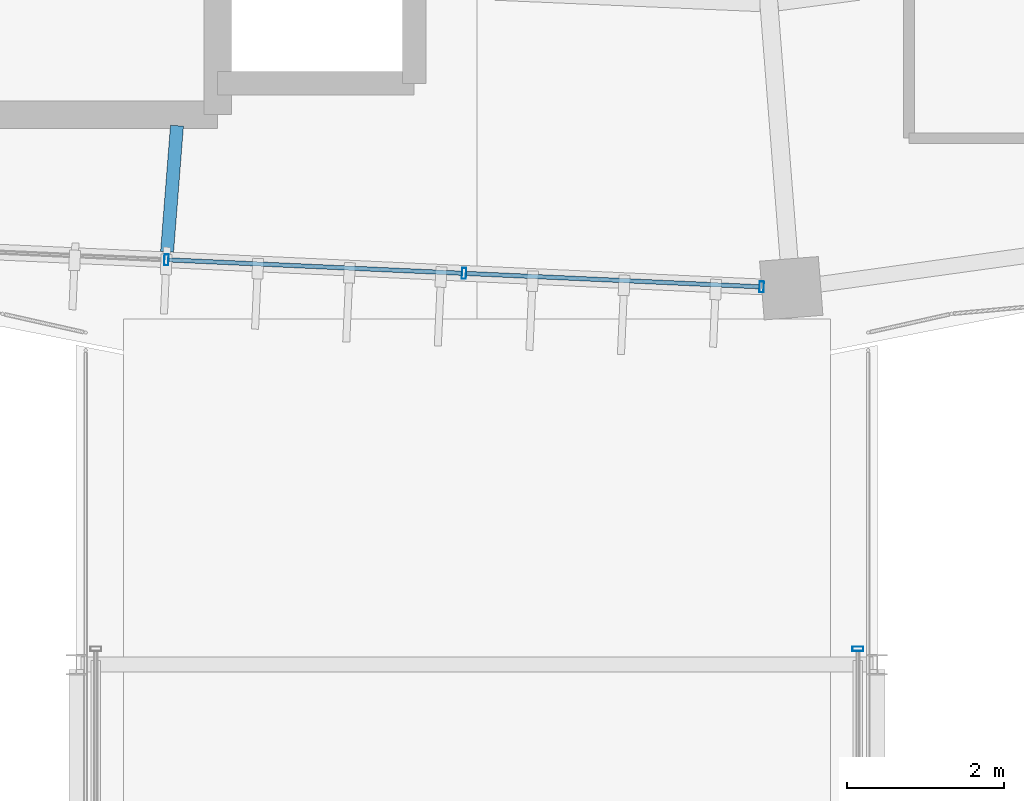
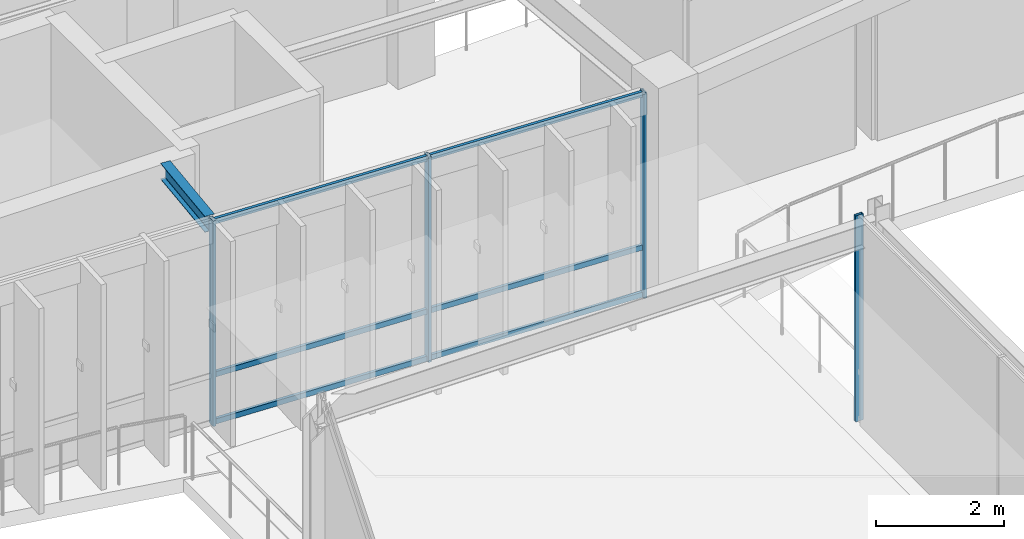
# One storey, part 40 of 152: 10 members, 1 beam, 2 elements without a shape of their own.
"""IFC4 building model written with IfcOpenShell, lengths in metres."""

from ifc_helpers import new_model, si_unit, direction, frame, origin, origin_2d, place, context, subcontext, project, spatial, hollow_rectangle, i_section, extrude, material, material_profile, profile_set, type_object, element, aggregate, save


model = new_model("IFC4")

# Units and contexts
model_context = context("Model", 3, precision=1e-05, world=origin(), true_north=direction((0.0, 1.0)))
body_context = subcontext(model_context, "Body", "Model", "MODEL_VIEW")
ifc_project = project(units=[si_unit("LENGTHUNIT", "METRE"), si_unit("AREAUNIT", "SQUARE_METRE"), si_unit("VOLUMEUNIT", "CUBIC_METRE"), si_unit("PLANEANGLEUNIT", "RADIAN"), si_unit("MASSUNIT", "GRAM", prefix="KILO"), si_unit("THERMODYNAMICTEMPERATUREUNIT", "KELVIN"), si_unit("POWERUNIT", "WATT")], contexts=[model_context])

# Site, building, storey
site_placement = place(None, origin())
site = spatial("IfcSite", under=ifc_project, at=site_placement, CompositionType="ELEMENT")
building_placement = place(site_placement, origin())
building = spatial("IfcBuilding", under=site, at=building_placement, Name="Darbajah Civic Hall", CompositionType="ELEMENT")
storey_placement = place(building_placement, frame((0.0, 0.0, 5.39990234375)))
storey = spatial("IfcBuildingStorey", under=building, at=storey_placement, Name="L01", CompositionType="ELEMENT", Elevation=5.39990234375)

# Curtain wall, members
ifc_material_1 = material(Name="Anodised Bronze Aluminium and Low-E Glazing", Category="aluminium")
curtain_wall_type_1 = type_object("IfcCurtainWallType", Name="Unitised Curtain Wall CW-32 15200x3900", PredefinedType="USERDEFINED", material=ifc_material_1)
curtain_wall_1_placement = place(storey_placement, origin())
curtain_wall_1 = element("IfcCurtainWall", 1, at=curtain_wall_1_placement, inside=storey, type_object=curtain_wall_type_1, Name="L01 unitised curtain wall CW-V1O-L01-14", ObjectType="UNITISED CURTAIN WALL", PredefinedType="USERDEFINED")
ifc_material_2 = material(Name="Anodised Bronze Aluminium", Category="aluminium")
ifc_material_profile_1 = material_profile(ifc_material_2, hollow_rectangle(XDim=0.054931640625, YDim=0.139892578125, WallThickness=0.003173828125, at=origin_2d()), Name="ALU MULLION 55x140")
ifc_profile_set_1 = profile_set([ifc_material_profile_1], Name="Anodised Bronze Aluminium")
member_type_1 = type_object("IfcMemberType", Name="ALU MULLION 55x140", PredefinedType="MULLION", material=ifc_profile_set_1)
member_1_placement = place(storey_placement, frame((85.14794921875, 60.7529296875, 0.0), z_axis=(0.0, 0.0, 1.0), x_axis=(0.998962637241, -0.045537340693, 0.0)))
member_1 = element("IfcMember", 2, at=member_1_placement, type_object=member_type_1, Name="CW-V1O-L01-14 mullion 3", PredefinedType="MULLION", context=body_context, shape_type="SweptSolid", body=[
    extrude(hollow_rectangle(XDim=0.054931640625, YDim=0.139892578125, WallThickness=0.003173828125, at=origin_2d()), origin(), (0.0, 0.0, 1.0), 3.920166015625),
])
member_2_placement = place(storey_placement, frame((88.936279296875, 60.58056640625, 0.0), z_axis=(0.0, 0.0, 1.0), x_axis=(0.998962637241, -0.045537340693, 0.0)))
member_2 = element("IfcMember", 3, at=member_2_placement, type_object=member_type_1, Name="CW-V1O-L01-14 mullion 4", PredefinedType="MULLION", context=body_context, shape_type="SweptSolid", body=[
    extrude(hollow_rectangle(XDim=0.054931640625, YDim=0.139892578125, WallThickness=0.003173828125, at=origin_2d()), origin(), (0.0, 0.0, 1.0), 3.920166015625),
])
member_3_placement = place(storey_placement, frame((92.724853515625, 60.407958984375, 0.0), z_axis=(0.0, 0.0, 1.0), x_axis=(0.998962637241, -0.045537340693, 0.0)))
member_3 = element("IfcMember", 4, at=member_3_placement, type_object=member_type_1, Name="CW-V1O-L01-14 mullion 5", PredefinedType="MULLION", context=body_context, shape_type="SweptSolid", body=[
    extrude(hollow_rectangle(XDim=0.054931640625, YDim=0.139892578125, WallThickness=0.003173828125, at=origin_2d()), origin(), (0.0, 0.0, 1.0), 3.920166015625),
])

# Curtain wall, member
curtain_wall_type_2 = type_object("IfcCurtainWallType", Name="Unitised Curtain Wall CW-104 13400x3950", PredefinedType="USERDEFINED", material=ifc_material_1)
curtain_wall_2_placement = place(storey_placement, origin())
curtain_wall_2 = element("IfcCurtainWall", 5, at=curtain_wall_2_placement, inside=storey, type_object=curtain_wall_type_2, Name="L01 unitised curtain wall CW-V6-PE-L01", ObjectType="UNITISED CURTAIN WALL", PredefinedType="USERDEFINED")
member_4_placement = place(storey_placement, frame((93.949951171875, 55.800048828125, 0.0), z_axis=(0.0, 0.0, 1.0), x_axis=(0.0, 1.0, 0.0)))
member_4 = element("IfcMember", 6, at=member_4_placement, type_object=member_type_1, Name="CW-V6-PE-L01 mullion 4", PredefinedType="MULLION", context=body_context, shape_type="SweptSolid", body=[
    extrude(hollow_rectangle(XDim=0.054931640625, YDim=0.139892578125, WallThickness=0.003173828125, at=origin_2d()), origin(), (0.0, 0.0, 1.0), 3.93017578125),
])
aggregate(curtain_wall_2, [member_4])

# Member
ifc_material_profile_2 = material_profile(ifc_material_2, hollow_rectangle(XDim=0.054931640625, YDim=0.10009765625, WallThickness=0.0029296875, at=origin_2d()), Name="ALU TRANSOM 55x100")
ifc_profile_set_2 = profile_set([ifc_material_profile_2], Name="Anodised Bronze Aluminium")
member_type_2 = type_object("IfcMemberType", Name="ALU TRANSOM 55x100", PredefinedType="USERDEFINED", material=ifc_profile_set_2)
member_5_placement = place(storey_placement, frame((85.180419921875, 60.75146484375, 0.050048828125), z_axis=(0.998966242998, -0.045458171441, 0.0), x_axis=(0.045458171441, 0.998966242998, 0.0)))
member_5 = element("IfcMember", 7, at=member_5_placement, type_object=member_type_2, Name="CW-V1O-L01-14 transom 3.1", ObjectType="TRANSOM", PredefinedType="USERDEFINED", context=body_context, shape_type="SweptSolid", body=[
    extrude(hollow_rectangle(XDim=0.054931640625, YDim=0.10009765625, WallThickness=0.0029296875, at=origin_2d()), origin(), (0.0, 0.0, 1.0), 3.727294921875),
])

member_6_placement = place(storey_placement, frame((85.180419921875, 60.75146484375, 0.9501953125), z_axis=(0.998966242998, -0.045458171441, 0.0), x_axis=(0.045458171441, 0.998966242998, 0.0)))
member_6 = element("IfcMember", 8, at=member_6_placement, type_object=member_type_2, Name="CW-V1O-L01-14 transom 3.2", ObjectType="TRANSOM", PredefinedType="USERDEFINED", context=body_context, shape_type="SweptSolid", body=[
    extrude(hollow_rectangle(XDim=0.054931640625, YDim=0.10009765625, WallThickness=0.0029296875, at=origin_2d()), origin(), (0.0, 0.0, 1.0), 3.727294921875),
])

member_7_placement = place(storey_placement, frame((85.180419921875, 60.75146484375, 3.8701171875), z_axis=(0.998966242998, -0.045458171441, 0.0), x_axis=(0.045458171441, 0.998966242998, 0.0)))
member_7 = element("IfcMember", 9, at=member_7_placement, type_object=member_type_2, Name="CW-V1O-L01-14 transom 3.3", ObjectType="TRANSOM", PredefinedType="USERDEFINED", context=body_context, shape_type="SweptSolid", body=[
    extrude(hollow_rectangle(XDim=0.054931640625, YDim=0.10009765625, WallThickness=0.0029296875, at=origin_2d()), origin(), (0.0, 0.0, 1.0), 3.727294921875),
])

member_8_placement = place(storey_placement, frame((88.96875, 60.5791015625, 0.050048828125), z_axis=(0.998963402091, -0.045520558907, 0.0), x_axis=(0.045520558907, 0.998963402091, 0.0)))
member_8 = element("IfcMember", 10, at=member_8_placement, type_object=member_type_2, Name="CW-V1O-L01-14 transom 4.1", ObjectType="TRANSOM", PredefinedType="USERDEFINED", context=body_context, shape_type="SweptSolid", body=[
    extrude(hollow_rectangle(XDim=0.054931640625, YDim=0.10009765625, WallThickness=0.0029296875, at=origin_2d()), origin(), (0.0, 0.0, 1.0), 3.7275390625),
])

member_9_placement = place(storey_placement, frame((88.96875, 60.5791015625, 0.9501953125), z_axis=(0.998963402091, -0.045520558907, 0.0), x_axis=(0.045520558907, 0.998963402091, 0.0)))
member_9 = element("IfcMember", 11, at=member_9_placement, type_object=member_type_2, Name="CW-V1O-L01-14 transom 4.2", ObjectType="TRANSOM", PredefinedType="USERDEFINED", context=body_context, shape_type="SweptSolid", body=[
    extrude(hollow_rectangle(XDim=0.054931640625, YDim=0.10009765625, WallThickness=0.0029296875, at=origin_2d()), origin(), (0.0, 0.0, 1.0), 3.7275390625),
])

member_10_placement = place(storey_placement, frame((88.96875, 60.5791015625, 3.8701171875), z_axis=(0.998963402091, -0.045520558907, 0.0), x_axis=(0.045520558907, 0.998963402091, 0.0)))
member_10 = element("IfcMember", 12, at=member_10_placement, type_object=member_type_2, Name="CW-V1O-L01-14 transom 4.3", ObjectType="TRANSOM", PredefinedType="USERDEFINED", context=body_context, shape_type="SweptSolid", body=[
    extrude(hollow_rectangle(XDim=0.054931640625, YDim=0.10009765625, WallThickness=0.0029296875, at=origin_2d()), origin(), (0.0, 0.0, 1.0), 3.7275390625),
])

aggregate(curtain_wall_1, [member_1, member_2, member_3, member_5, member_6, member_7, member_8, member_9, member_10])

# Beam
ifc_material_3 = material(Name="Steel S355JR", Category="steel")
ifc_material_profile_3 = material_profile(ifc_material_3, i_section(OverallWidth=0.165771484375, OverallDepth=0.306640625, WebThickness=0.006591796875, FlangeThickness=0.01171875, FilletRadius=0.0087890625, at=origin_2d()), Name="UB 305x165x46")
ifc_profile_set_3 = profile_set([ifc_material_profile_3], Name="Steel S355JR")
beam_type = type_object("IfcBeamType", Name="UB 305x165x46", PredefinedType="JOIST", material=ifc_profile_set_3)
beam_placement = place(storey_placement, frame((85.2822265625, 62.4599609375, 3.766845703125), z_axis=(-0.078389217268, -0.996922830823, 0.0), x_axis=(0.996922830823, -0.078389217268, 0.0)))
element("IfcBeam", 13, at=beam_placement, inside=storey, type_object=beam_type, Name="L01 beam SJ-305", PredefinedType="JOIST", context=body_context, shape_type="SweptSolid", body=[
    extrude(i_section(OverallWidth=0.165771484375, OverallDepth=0.306640625, WebThickness=0.006591796875, FlangeThickness=0.01171875, FilletRadius=0.0087890625, at=origin_2d()), origin(), (0.0, 0.0, 1.0), 1.610107421875),
])

save(model, "model.ifc")
